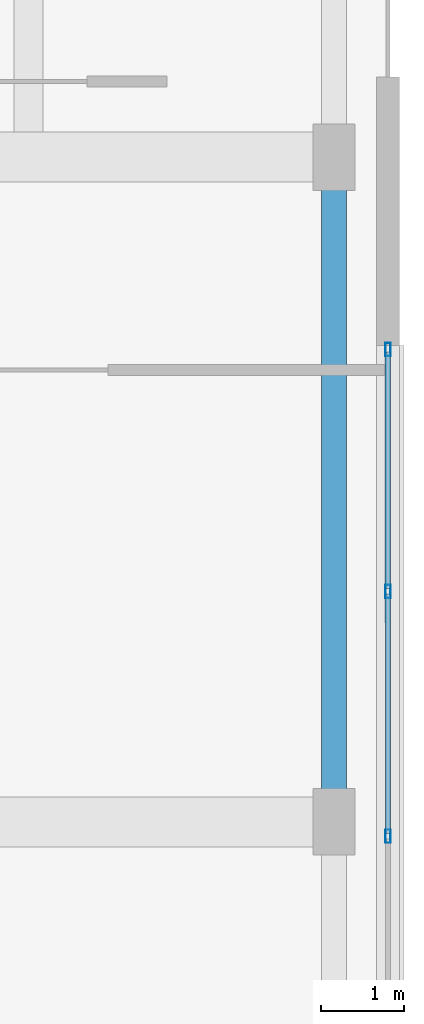
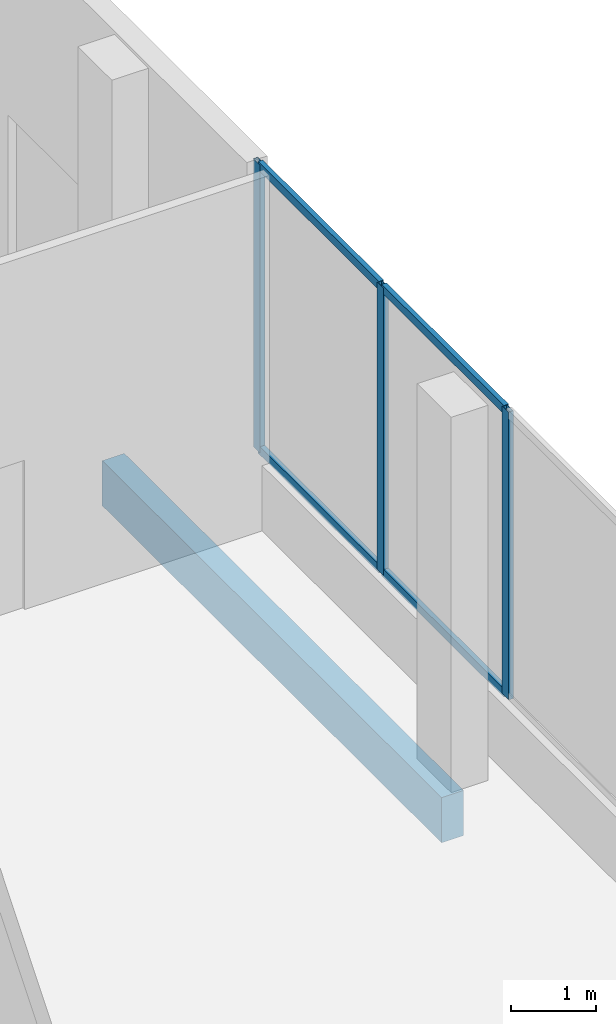
# One storey, part 112 of 158: 7 members, 1 beam, 1 element without a shape of its own.
"""IFC4 building model written with IfcOpenShell, lengths in metres."""

from ifc_helpers import new_model, si_unit, direction, frame, origin, origin_2d, place, context, subcontext, project, spatial, rectangle, hollow_rectangle, extrude, material, material_profile, profile_set, type_object, element, aggregate, save


model = new_model("IFC4")

# Units and contexts
model_context = context("Model", 3, precision=1e-05, world=origin(), true_north=direction((0.0, 1.0)))
body_context = subcontext(model_context, "Body", "Model", "MODEL_VIEW")
ifc_project = project(units=[si_unit("LENGTHUNIT", "METRE"), si_unit("AREAUNIT", "SQUARE_METRE"), si_unit("VOLUMEUNIT", "CUBIC_METRE"), si_unit("PLANEANGLEUNIT", "RADIAN"), si_unit("MASSUNIT", "GRAM", prefix="KILO")], contexts=[model_context])

# Site, building, storey
site_placement = place(None, origin())
site = spatial("IfcSite", under=ifc_project, at=site_placement, CompositionType="ELEMENT")
building_placement = place(site_placement, origin())
building = spatial("IfcBuilding", under=site, at=building_placement, Name="Selatvlak General Hospital", CompositionType="ELEMENT")
storey_placement = place(building_placement, origin())
storey = spatial("IfcBuildingStorey", under=building, at=storey_placement, Name="L00", CompositionType="ELEMENT", Elevation=0.0)

# Beam
ifc_material_1 = material(Name="Concrete C40/50", Category="concrete")
ifc_material_profile_1 = material_profile(ifc_material_1, rectangle(XDim=0.300048828125, YDim=0.64990234375, at=origin_2d()), Name="RC-SP 300x650")
ifc_profile_set_1 = profile_set([ifc_material_profile_1], Name="Concrete C40/50")
beam_type = type_object("IfcBeamType", Name="BM-SP1", PredefinedType="SPANDREL", material=ifc_profile_set_1)
beam_placement = place(storey_placement, frame((181.35009765625, 100.0, -0.675048828125), z_axis=(0.0, 1.0, 0.0), x_axis=(-1.0, 0.0, 0.0)))
element("IfcBeam", 1, at=beam_placement, inside=storey, type_object=beam_type, Name="Beam BMR-L00-0309", PredefinedType="SPANDREL", context=body_context, shape_type="SweptSolid", body=[
    extrude(rectangle(XDim=0.300048828125, YDim=0.64990234375, at=origin_2d()), origin(), (0.0, 0.0, 1.0), 8.0),
])

# Curtain wall, members
ifc_material_2 = material(Name="Solar-control Low-E double glazing", Category="glass")
curtain_wall_type = type_object("IfcCurtainWallType", Name="CW-CW-01", PredefinedType="USERDEFINED", material=ifc_material_2)
curtain_wall_placement = place(storey_placement, origin())
curtain_wall = element("IfcCurtainWall", 2, at=curtain_wall_placement, inside=storey, type_object=curtain_wall_type, Name="Glazed facade curtain wall CW-L00-0014", ObjectType="UNITISED CURTAIN WALL", PredefinedType="USERDEFINED")
ifc_material_3 = material(Name="Dark anodised aluminium mullion", Category="aluminium")
ifc_material_profile_2 = material_profile(ifc_material_3, hollow_rectangle(XDim=0.06494140625, YDim=0.159912109375, WallThickness=0.00390625, at=origin_2d()), Name="AL-MUL 65x160x4")
ifc_profile_set_2 = profile_set([ifc_material_profile_2], Name="Dark anodised aluminium mullion")
member_type_1 = type_object("IfcMemberType", Name="CWM-01", PredefinedType="MULLION", material=ifc_profile_set_2)
member_1_placement = place(storey_placement, frame((181.9990234375, 105.6865234375, 0.93994140625), z_axis=(0.0, 0.0, 1.0), x_axis=(0.999999993597, 0.000113160569, 0.0)))
member_1 = element("IfcMember", 3, at=member_1_placement, type_object=member_type_1, Name="CW-01 mullion 1", PredefinedType="MULLION", context=body_context, shape_type="SweptSolid", body=[
    extrude(hollow_rectangle(XDim=0.06494140625, YDim=0.159912109375, WallThickness=0.00390625, at=origin_2d()), origin(), (0.0, 0.0, 1.0), 4.14013671875),
])
member_2_placement = place(storey_placement, frame((181.999267578125, 102.7734375, 0.93994140625), z_axis=(0.0, 0.0, 1.0), x_axis=(0.999999993597, 0.000113160569, 0.0)))
member_2 = element("IfcMember", 4, at=member_2_placement, type_object=member_type_1, Name="CW-01 mullion 2", PredefinedType="MULLION", context=body_context, shape_type="SweptSolid", body=[
    extrude(hollow_rectangle(XDim=0.06494140625, YDim=0.159912109375, WallThickness=0.00390625, at=origin_2d()), origin(), (0.0, 0.0, 1.0), 4.14013671875),
])
member_3_placement = place(storey_placement, frame((181.999755859375, 99.82763671875, 0.93994140625), z_axis=(0.0, 0.0, 1.0), x_axis=(0.999999993597, 0.000113160569, 0.0)))
member_3 = element("IfcMember", 5, at=member_3_placement, type_object=member_type_1, Name="CW-01 mullion 3", PredefinedType="MULLION", context=body_context, shape_type="SweptSolid", body=[
    extrude(hollow_rectangle(XDim=0.06494140625, YDim=0.159912109375, WallThickness=0.00390625, at=origin_2d()), origin(), (0.0, 0.0, 1.0), 4.14013671875),
])
ifc_material_profile_3 = material_profile(ifc_material_3, hollow_rectangle(XDim=0.06494140625, YDim=0.1201171875, WallThickness=0.00390625, at=origin_2d()), Name="AL-TRN 65x120x4")
ifc_profile_set_3 = profile_set([ifc_material_profile_3], Name="Dark anodised aluminium mullion")
member_type_2 = type_object("IfcMemberType", Name="CWT-01", PredefinedType="USERDEFINED", material=ifc_profile_set_3)
member_4_placement = place(storey_placement, frame((181.9990234375, 105.654052734375, 0.972412109375), z_axis=(8.5719184e-05, -0.999999996326, 0.0), x_axis=(0.999999996326, 8.5719184e-05, 0.0)))
member_4 = element("IfcMember", 6, at=member_4_placement, type_object=member_type_2, Name="CW-01 transom 1.1", ObjectType="TRANSOM", PredefinedType="USERDEFINED", context=body_context, shape_type="SweptSolid", body=[
    extrude(hollow_rectangle(XDim=0.06494140625, YDim=0.1201171875, WallThickness=0.00390625, at=origin_2d()), origin(), (0.0, 0.0, 1.0), 2.84814453125),
])
member_5_placement = place(storey_placement, frame((181.9990234375, 105.654052734375, 5.047607421875), z_axis=(8.5719184e-05, -0.999999996326, 0.0), x_axis=(0.999999996326, 8.5719184e-05, 0.0)))
member_5 = element("IfcMember", 7, at=member_5_placement, type_object=member_type_2, Name="CW-01 transom 1.2", ObjectType="TRANSOM", PredefinedType="USERDEFINED", context=body_context, shape_type="SweptSolid", body=[
    extrude(hollow_rectangle(XDim=0.06494140625, YDim=0.1201171875, WallThickness=0.00390625, at=origin_2d()), origin(), (0.0, 0.0, 1.0), 2.84814453125),
])
member_6_placement = place(storey_placement, frame((181.999267578125, 102.74072265625, 0.972412109375), z_axis=(0.000169505888, -0.999999985634, 0.0), x_axis=(0.999999985634, 0.000169505888, 0.0)))
member_6 = element("IfcMember", 8, at=member_6_placement, type_object=member_type_2, Name="CW-01 transom 2.1", ObjectType="TRANSOM", PredefinedType="USERDEFINED", context=body_context, shape_type="SweptSolid", body=[
    extrude(hollow_rectangle(XDim=0.06494140625, YDim=0.1201171875, WallThickness=0.00390625, at=origin_2d()), origin(), (0.0, 0.0, 1.0), 2.880615234375),
])
member_7_placement = place(storey_placement, frame((181.999267578125, 102.74072265625, 5.047607421875), z_axis=(0.000169505888, -0.999999985634, 0.0), x_axis=(0.999999985634, 0.000169505888, 0.0)))
member_7 = element("IfcMember", 9, at=member_7_placement, type_object=member_type_2, Name="CW-01 transom 2.2", ObjectType="TRANSOM", PredefinedType="USERDEFINED", context=body_context, shape_type="SweptSolid", body=[
    extrude(hollow_rectangle(XDim=0.06494140625, YDim=0.1201171875, WallThickness=0.00390625, at=origin_2d()), origin(), (0.0, 0.0, 1.0), 2.880615234375),
])
aggregate(curtain_wall, [member_1, member_2, member_3, member_4, member_5, member_6, member_7])

save(model, "model.ifc")
